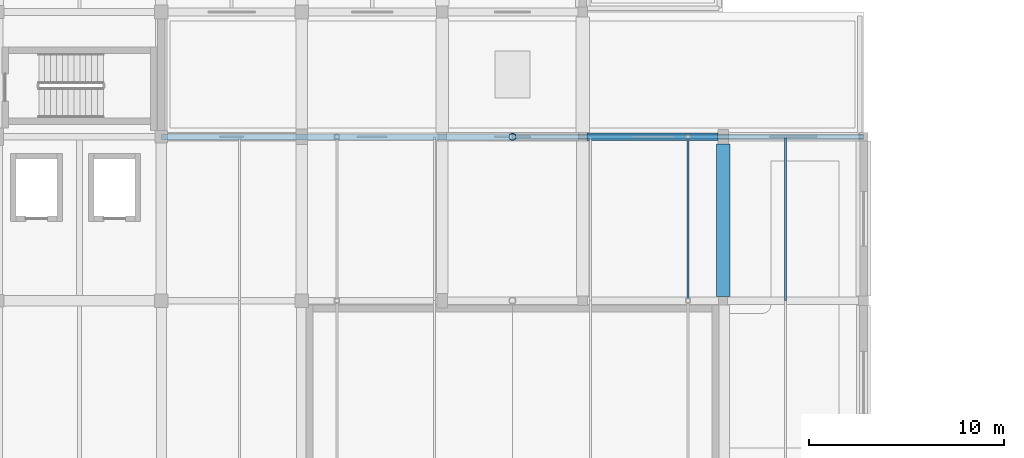
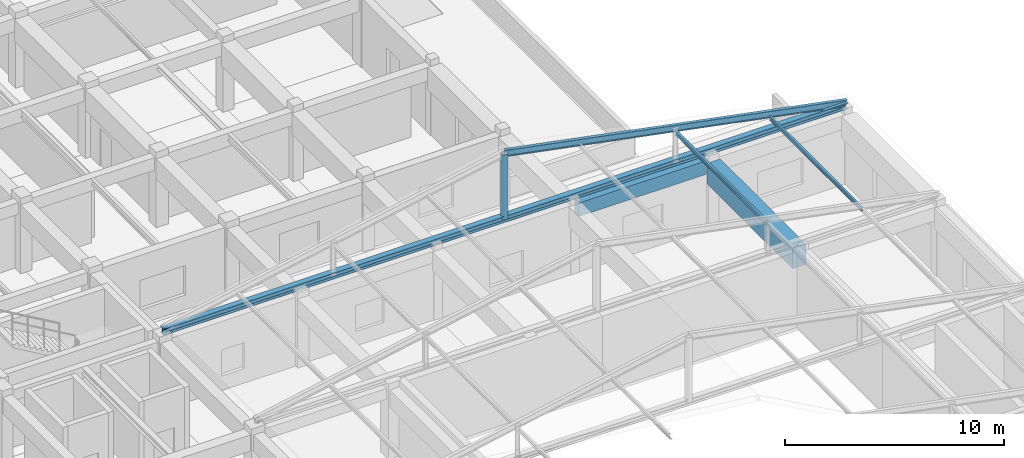
# One storey, part 45 of 74: 5 members, 2 beams.
"""IFC4 building model written with IfcOpenShell, lengths in metres."""

from ifc_helpers import new_model, si_unit, direction, frame, origin, origin_2d, place, context, subcontext, project, spatial, rectangle, hollow_circle, i_section, extrude, material, material_profile, profile_set, type_object, element, save


model = new_model("IFC4")

# Units and contexts
model_context = context("Model", 3, precision=1e-05, world=origin(), true_north=direction((0.0, 1.0)))
body_context = subcontext(model_context, "Body", "Model", "MODEL_VIEW")
ifc_project = project(units=[si_unit("LENGTHUNIT", "METRE"), si_unit("AREAUNIT", "SQUARE_METRE"), si_unit("VOLUMEUNIT", "CUBIC_METRE"), si_unit("PLANEANGLEUNIT", "RADIAN"), si_unit("MASSUNIT", "GRAM", prefix="KILO")], contexts=[model_context])

# Site, building, storey
site_placement = place(None, origin())
site = spatial("IfcSite", under=ifc_project, at=site_placement, CompositionType="ELEMENT")
building_placement = place(site_placement, origin())
building = spatial("IfcBuilding", under=site, at=building_placement, Name="Korsvaeld Concert Hall", CompositionType="ELEMENT")
storey_placement = place(building_placement, frame((0.0, 0.0, 9.0)))
storey = spatial("IfcBuildingStorey", under=building, at=storey_placement, Name="L02", CompositionType="ELEMENT", Elevation=9.0)

# Beams
ifc_material_1 = material(Name="Concrete C35/45", Category="concrete")
ifc_material_profile_1 = material_profile(ifc_material_1, rectangle(XDim=0.39990234375, YDim=0.75, at=origin_2d()), Name="RC 400x750")
ifc_profile_set_1 = profile_set([ifc_material_profile_1], Name="Concrete C35/45")
beam_type_1 = type_object("IfcBeamType", Name="BM-RC-400x750", PredefinedType="T_BEAM", material=ifc_profile_set_1)
beam_1_placement = place(storey_placement, frame((139.425048828125, 76.800048828125, 3.465087890625), z_axis=(1.0, 0.0, 0.0), x_axis=(0.0, 1.0, 0.0)))
element("IfcBeam", 1, at=beam_1_placement, inside=storey, type_object=beam_type_1, Name="Primary girder 19-20/L L02", PredefinedType="T_BEAM", context=body_context, shape_type="SweptSolid", body=[
    extrude(rectangle(XDim=0.39990234375, YDim=0.75, at=origin_2d()), origin(), (0.0, 0.0, 1.0), 6.699951171875),
])
ifc_material_2 = material(Name="Concrete C40/50", Category="concrete")
ifc_material_profile_2 = material_profile(ifc_material_2, rectangle(XDim=0.699951171875, YDim=1.14990234375, at=origin_2d()), Name="RC 700x1150")
ifc_profile_set_2 = profile_set([ifc_material_profile_2], Name="Concrete C40/50")
beam_type_2 = type_object("IfcBeamType", Name="BM-RC-700x1150", PredefinedType="T_BEAM", material=ifc_profile_set_2)
beam_2_placement = place(storey_placement, frame((146.39990234375, 68.625, 3.264892578125), z_axis=(0.0, 1.0, 0.0), x_axis=(-1.0, 0.0, 0.0)))
element("IfcBeam", 2, at=beam_2_placement, inside=storey, type_object=beam_type_2, Name="Primary girder 20/K-L L02", PredefinedType="T_BEAM", context=body_context, shape_type="SweptSolid", body=[
    extrude(rectangle(XDim=0.699951171875, YDim=1.14990234375, at=origin_2d()), origin(), (0.0, 0.0, 1.0), 7.800048828125),
])

# Members
ifc_material_3 = material(Name="Steel S355J2", Category="steel")
ifc_material_profile_3 = material_profile(ifc_material_3, i_section(OverallWidth=0.300048828125, OverallDepth=0.340087890625, WebThickness=0.011962890625, FlangeThickness=0.021484375, FilletRadius=0.027099609375, at=origin_2d()), Name="HEB 340")
ifc_profile_set_3 = profile_set([ifc_material_profile_3], Name="Steel S355J2")
member_type_1 = type_object("IfcMemberType", Name="MEM-CHD-HEB340", PredefinedType="CHORD", material=ifc_profile_set_3)
member_1_placement = place(storey_placement, frame((117.60009765625, 76.800048828125, 4.25), z_axis=(1.0, 0.0, 0.0), x_axis=(0.0, 1.0, 0.0)))
element("IfcMember", 3, at=member_1_placement, inside=storey, type_object=member_type_1, Name="Chamber Hall truss bottom chord 5", PredefinedType="CHORD", context=body_context, shape_type="SweptSolid", body=[
    extrude(i_section(OverallWidth=0.300048828125, OverallDepth=0.340087890625, WebThickness=0.011962890625, FlangeThickness=0.021484375, FilletRadius=0.027099609375, at=origin_2d()), origin(), (0.0, 0.0, 1.0), 36.0),
])
ifc_material_profile_4 = material_profile(ifc_material_3, i_section(OverallWidth=0.110107421875, OverallDepth=0.219970703125, WebThickness=0.005859375, FlangeThickness=0.00927734375, FilletRadius=0.011962890625, at=origin_2d()), Name="IPE 220")
ifc_profile_set_4 = profile_set([ifc_material_profile_4], Name="Steel S355J2")
member_type_2 = type_object("IfcMemberType", Name="MEM-PUR-IPE220", PredefinedType="PURLIN", material=ifc_profile_set_4)
for number, where, z_axis, x_axis, name in (
    (4, (144.60009765625, 68.39990234375, 5.8798828125), (0.0, 1.0, 0.0), (-1.0, 0.0, 0.0), "Chamber Hall roof purlin 144.4"),
    (5, (149.60009765625, 68.39990234375, 4.89990234375), (0.0, 1.0, 0.0), (-1.0, 0.0, 0.0), "Chamber Hall roof purlin 149.4"),
):
    element("IfcMember", number, at=place(storey_placement, frame(where, z_axis=z_axis, x_axis=x_axis)), inside=storey, type_object=member_type_2, Name=name, PredefinedType="PURLIN", context=body_context, shape_type="SweptSolid", body=[
        extrude(i_section(OverallWidth=0.110107421875, OverallDepth=0.219970703125, WebThickness=0.005859375, FlangeThickness=0.00927734375, FilletRadius=0.011962890625, at=origin_2d()), origin(), (0.0, 0.0, 1.0), 8.400146484375),
    ])
ifc_material_profile_5 = material_profile(ifc_material_3, i_section(OverallWidth=0.169921875, OverallDepth=0.360107421875, WebThickness=0.008056640625, FlangeThickness=0.0126953125, FilletRadius=0.01806640625, at=origin_2d()), Name="IPE 360")
ifc_profile_set_5 = profile_set([ifc_material_profile_5], Name="Steel S355J2")
member_type_3 = type_object("IfcMemberType", Name="MEM-RAF-IPE360", PredefinedType="RAFTER", material=ifc_profile_set_5)
member_2_placement = place(storey_placement, frame((153.60009765625, 76.800048828125, 4.35009765625), z_axis=(-0.981615389669, 0.0, 0.190869659102), x_axis=(0.0, -1.0, 0.0)))
element("IfcMember", 6, at=member_2_placement, inside=storey, type_object=member_type_3, Name="Chamber Hall east pitched rafter 5", PredefinedType="RAFTER", context=body_context, shape_type="SweptSolid", body=[
    extrude(i_section(OverallWidth=0.169921875, OverallDepth=0.360107421875, WebThickness=0.008056640625, FlangeThickness=0.0126953125, FilletRadius=0.01806640625, at=origin_2d()), origin(), (0.0, 0.0, 1.0), 18.337158203125),
])
ifc_material_profile_6 = material_profile(ifc_material_3, hollow_circle(Radius=0.177734375, WallThickness=0.01611328125, at=origin_2d()), Name="CHS 355.6x16")
ifc_profile_set_6 = profile_set([ifc_material_profile_6], Name="Steel S355J2")
member_type_4 = type_object("IfcMemberType", Name="MEM-STR-CHS355", PredefinedType="STRUT", material=ifc_profile_set_6)
member_3_placement = place(storey_placement, frame((135.60009765625, 76.800048828125, 4.25), z_axis=(0.0, 0.0, 1.0), x_axis=(1.0, 0.0, 0.0)))
element("IfcMember", 7, at=member_3_placement, inside=storey, type_object=member_type_4, Name="Chamber Hall truss web 5.135", PredefinedType="STRUT", context=body_context, shape_type="SweptSolid", body=[
    extrude(hollow_circle(Radius=0.177734375, WallThickness=0.01611328125, at=origin_2d()), origin(), (0.0, 0.0, 1.0), 3.60009765625),
])

save(model, "model.ifc")
